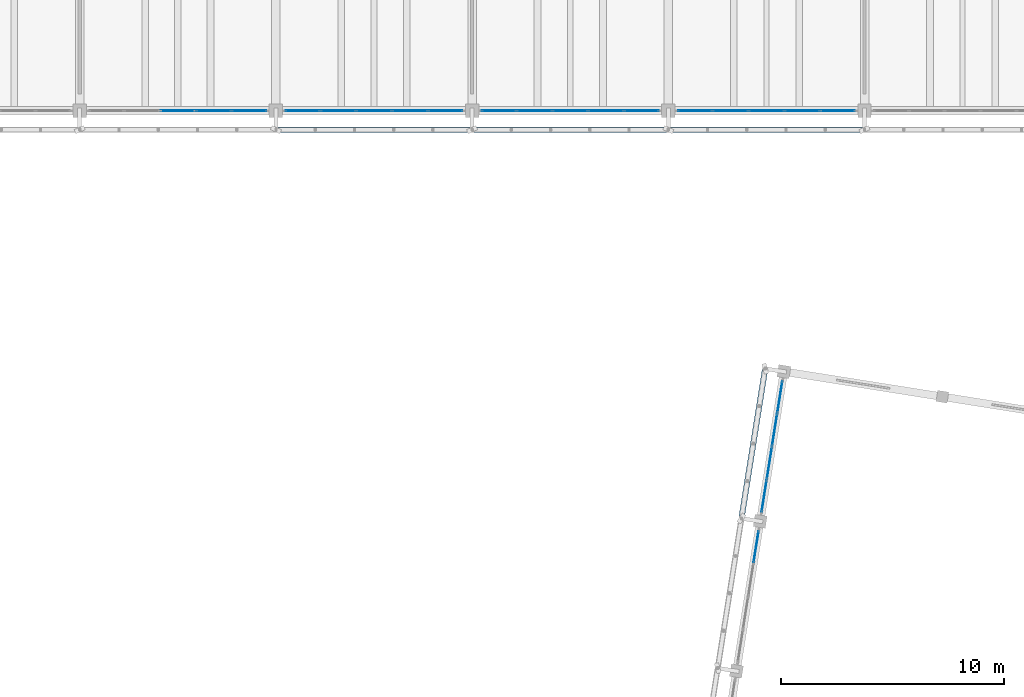
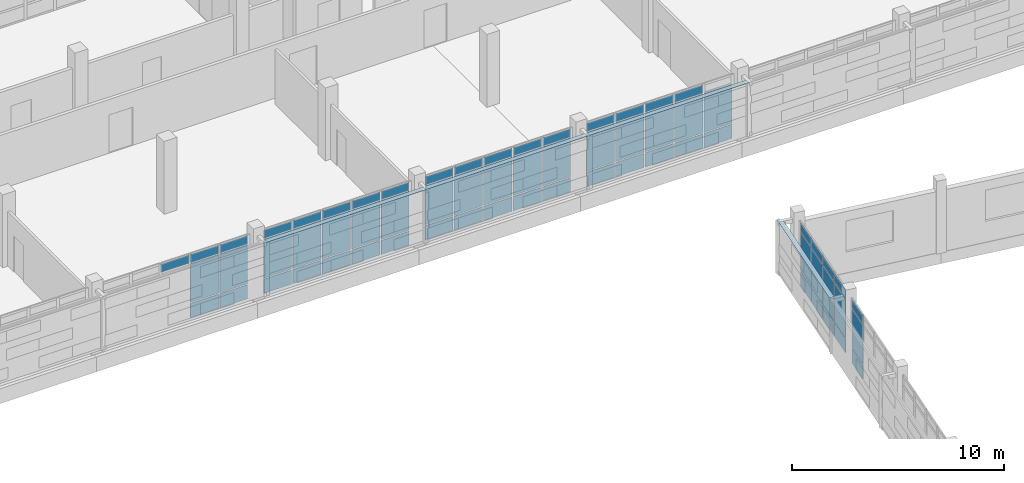
# One storey, part 101 of 137: 70 plates, 6 elements without a shape of their own.
"""IFC4 building model written with IfcOpenShell, lengths in metres."""

from ifc_helpers import new_model, si_unit, direction, frame, origin, origin_2d, place, context, subcontext, project, spatial, rectangle, extrude, material, layer, layer_set, type_object, element, aggregate, save


model = new_model("IFC4")

# Units and contexts
model_context = context("Model", 3, precision=1e-05, world=origin(), true_north=direction((0.0, 1.0)))
body_context = subcontext(model_context, "Body", "Model", "MODEL_VIEW")
ifc_project = project(units=[si_unit("LENGTHUNIT", "METRE"), si_unit("AREAUNIT", "SQUARE_METRE"), si_unit("VOLUMEUNIT", "CUBIC_METRE"), si_unit("PLANEANGLEUNIT", "RADIAN"), si_unit("MASSUNIT", "GRAM", prefix="KILO")], contexts=[model_context])

# Site, building, storey
site_placement = place(None, origin())
site = spatial("IfcSite", under=ifc_project, at=site_placement, CompositionType="ELEMENT")
building_placement = place(site_placement, origin())
building = spatial("IfcBuilding", under=site, at=building_placement, Name="Cinderway Yard Community Centre", CompositionType="ELEMENT")
storey_placement = place(building_placement, frame((0.0, 0.0, 4.800048828125)))
storey = spatial("IfcBuildingStorey", under=building, at=storey_placement, Name="L01", CompositionType="ELEMENT", Elevation=4.800048828125)

# Curtain wall, plates
ifc_material_1 = material(Name="Aluminium 6063-T6", Category="aluminium")
curtain_wall_type_1 = type_object("IfcCurtainWallType", Name="ENV-CW-TYPE-27", PredefinedType="USERDEFINED", material=ifc_material_1)
curtain_wall_1_placement = place(storey_placement, origin())
curtain_wall_1 = element("IfcCurtainWall", 1, at=curtain_wall_1_placement, inside=storey, type_object=curtain_wall_type_1, Name="V4 Courtyard Curtain Wall ENV-CW-L01-ST-0131", ObjectType="GLAZED CURTAIN WALL", PredefinedType="USERDEFINED")
ifc_material_2 = material(Name="Laminated Low-E Glass", Category="glass")
ifc_layer_1 = layer(ifc_material_2, 0.028076171875, Name="Laminated Low-E Glass")
ifc_layer_set_1 = layer_set([ifc_layer_1], Name="Laminated Low-E Glass")
plate_type_1 = type_object("IfcPlateType", Name="ENV-CW-PAN-IGU28", PredefinedType="CURTAIN_PANEL", material=ifc_layer_set_1)
plate_1_placement = place(storey_placement, frame((97.199951171875, 90.0, 3.22998046875), z_axis=(0.0, 0.0, 1.0), x_axis=(1.0, 0.0, 0.0)))
plate_1 = element("IfcPlate", 2, at=plate_1_placement, type_object=plate_type_1, Name="CW-27 panel 3.3", PredefinedType="CURTAIN_PANEL", context=body_context, shape_type="SweptSolid", body=[
    extrude(rectangle(XDim=1.548095703125, YDim=0.028076171875, at=origin_2d()), origin(), (0.0, 0.0, 1.0), 0.4599609375),
])
plate_2_placement = place(storey_placement, frame((98.80810546875, 90.0, 0.059814453125), z_axis=(0.0, 0.0, 1.0), x_axis=(1.0, 0.0, 0.0)))
plate_2 = element("IfcPlate", 3, at=plate_2_placement, type_object=plate_type_1, Name="CW-27 panel 4.1", PredefinedType="CURTAIN_PANEL", context=body_context, shape_type="SweptSolid", body=[
    extrude(rectangle(XDim=1.548095703125, YDim=0.028076171875, at=origin_2d()), origin(), (0.0, 0.0, 1.0), 0.81005859375),
])
plate_3_placement = place(storey_placement, frame((98.80810546875, 90.0, 0.93017578125), z_axis=(0.0, 0.0, 1.0), x_axis=(1.0, 0.0, 0.0)))
plate_3 = element("IfcPlate", 4, at=plate_3_placement, type_object=plate_type_1, Name="CW-27 panel 4.2", PredefinedType="CURTAIN_PANEL", context=body_context, shape_type="SweptSolid", body=[
    extrude(rectangle(XDim=1.548095703125, YDim=0.028076171875, at=origin_2d()), origin(), (0.0, 0.0, 1.0), 2.239990234375),
])
plate_4_placement = place(storey_placement, frame((98.80810546875, 90.0, 3.22998046875), z_axis=(0.0, 0.0, 1.0), x_axis=(1.0, 0.0, 0.0)))
plate_4 = element("IfcPlate", 5, at=plate_4_placement, type_object=plate_type_1, Name="CW-27 panel 4.3", PredefinedType="CURTAIN_PANEL", context=body_context, shape_type="SweptSolid", body=[
    extrude(rectangle(XDim=1.548095703125, YDim=0.028076171875, at=origin_2d()), origin(), (0.0, 0.0, 1.0), 0.4599609375),
])
plate_5_placement = place(storey_placement, frame((100.40087890625, 90.0, 0.059814453125), z_axis=(0.0, 0.0, 1.0), x_axis=(1.0, 0.0, 0.0)))
plate_5 = element("IfcPlate", 6, at=plate_5_placement, type_object=plate_type_1, Name="CW-27 panel 5.1", PredefinedType="CURTAIN_PANEL", context=body_context, shape_type="SweptSolid", body=[
    extrude(rectangle(XDim=1.51806640625, YDim=0.028076171875, at=origin_2d()), origin(), (0.0, 0.0, 1.0), 0.81005859375),
])
plate_6_placement = place(storey_placement, frame((100.40087890625, 90.0, 0.93017578125), z_axis=(0.0, 0.0, 1.0), x_axis=(1.0, 0.0, 0.0)))
plate_6 = element("IfcPlate", 7, at=plate_6_placement, type_object=plate_type_1, Name="CW-27 panel 5.2", PredefinedType="CURTAIN_PANEL", context=body_context, shape_type="SweptSolid", body=[
    extrude(rectangle(XDim=1.51806640625, YDim=0.028076171875, at=origin_2d()), origin(), (0.0, 0.0, 1.0), 2.239990234375),
])
plate_7_placement = place(storey_placement, frame((100.40087890625, 90.0, 3.22998046875), z_axis=(0.0, 0.0, 1.0), x_axis=(1.0, 0.0, 0.0)))
plate_7 = element("IfcPlate", 8, at=plate_7_placement, type_object=plate_type_1, Name="CW-27 panel 5.3", PredefinedType="CURTAIN_PANEL", context=body_context, shape_type="SweptSolid", body=[
    extrude(rectangle(XDim=1.51806640625, YDim=0.028076171875, at=origin_2d()), origin(), (0.0, 0.0, 1.0), 0.4599609375),
])
aggregate(curtain_wall_1, [plate_1, plate_2, plate_3, plate_4, plate_5, plate_6, plate_7])

curtain_wall_2_placement = place(storey_placement, origin())
curtain_wall_2 = element("IfcCurtainWall", 9, at=curtain_wall_2_placement, inside=storey, type_object=curtain_wall_type_1, Name="V4 Courtyard Curtain Wall ENV-CW-L01-ST-0133", ObjectType="GLAZED CURTAIN WALL", PredefinedType="USERDEFINED")
plate_8_placement = place(storey_placement, frame((102.799072265625, 90.0, 0.059814453125), z_axis=(0.0, 0.0, 1.0), x_axis=(1.0, 0.0, 0.0)))
plate_8 = element("IfcPlate", 10, at=plate_8_placement, type_object=plate_type_1, Name="CW-27 panel 1.1", PredefinedType="CURTAIN_PANEL", context=body_context, shape_type="SweptSolid", body=[
    extrude(rectangle(XDim=1.51806640625, YDim=0.028076171875, at=origin_2d()), origin(), (0.0, 0.0, 1.0), 0.81005859375),
])
plate_9_placement = place(storey_placement, frame((102.799072265625, 90.0, 0.93017578125), z_axis=(0.0, 0.0, 1.0), x_axis=(1.0, 0.0, 0.0)))
plate_9 = element("IfcPlate", 11, at=plate_9_placement, type_object=plate_type_1, Name="CW-27 panel 1.2", PredefinedType="CURTAIN_PANEL", context=body_context, shape_type="SweptSolid", body=[
    extrude(rectangle(XDim=1.51806640625, YDim=0.028076171875, at=origin_2d()), origin(), (0.0, 0.0, 1.0), 2.239990234375),
])
plate_10_placement = place(storey_placement, frame((102.799072265625, 90.0, 3.22998046875), z_axis=(0.0, 0.0, 1.0), x_axis=(1.0, 0.0, 0.0)))
plate_10 = element("IfcPlate", 12, at=plate_10_placement, type_object=plate_type_1, Name="CW-27 panel 1.3", PredefinedType="CURTAIN_PANEL", context=body_context, shape_type="SweptSolid", body=[
    extrude(rectangle(XDim=1.51806640625, YDim=0.028076171875, at=origin_2d()), origin(), (0.0, 0.0, 1.0), 0.4599609375),
])
plate_11_placement = place(storey_placement, frame((104.39208984375, 90.0, 0.059814453125), z_axis=(0.0, 0.0, 1.0), x_axis=(1.0, 0.0, 0.0)))
plate_11 = element("IfcPlate", 13, at=plate_11_placement, type_object=plate_type_1, Name="CW-27 panel 2.1", PredefinedType="CURTAIN_PANEL", context=body_context, shape_type="SweptSolid", body=[
    extrude(rectangle(XDim=1.548095703125, YDim=0.028076171875, at=origin_2d()), origin(), (0.0, 0.0, 1.0), 0.81005859375),
])
plate_12_placement = place(storey_placement, frame((104.39208984375, 90.0, 0.93017578125), z_axis=(0.0, 0.0, 1.0), x_axis=(1.0, 0.0, 0.0)))
plate_12 = element("IfcPlate", 14, at=plate_12_placement, type_object=plate_type_1, Name="CW-27 panel 2.2", PredefinedType="CURTAIN_PANEL", context=body_context, shape_type="SweptSolid", body=[
    extrude(rectangle(XDim=1.548095703125, YDim=0.028076171875, at=origin_2d()), origin(), (0.0, 0.0, 1.0), 2.239990234375),
])
plate_13_placement = place(storey_placement, frame((104.39208984375, 90.0, 3.22998046875), z_axis=(0.0, 0.0, 1.0), x_axis=(1.0, 0.0, 0.0)))
plate_13 = element("IfcPlate", 15, at=plate_13_placement, type_object=plate_type_1, Name="CW-27 panel 2.3", PredefinedType="CURTAIN_PANEL", context=body_context, shape_type="SweptSolid", body=[
    extrude(rectangle(XDim=1.548095703125, YDim=0.028076171875, at=origin_2d()), origin(), (0.0, 0.0, 1.0), 0.4599609375),
])
plate_14_placement = place(storey_placement, frame((106.0, 90.0, 0.059814453125), z_axis=(0.0, 0.0, 1.0), x_axis=(1.0, 0.0, 0.0)))
plate_14 = element("IfcPlate", 16, at=plate_14_placement, type_object=plate_type_1, Name="CW-27 panel 3.1", PredefinedType="CURTAIN_PANEL", context=body_context, shape_type="SweptSolid", body=[
    extrude(rectangle(XDim=1.548095703125, YDim=0.028076171875, at=origin_2d()), origin(), (0.0, 0.0, 1.0), 0.81005859375),
])
plate_15_placement = place(storey_placement, frame((106.0, 90.0, 0.93017578125), z_axis=(0.0, 0.0, 1.0), x_axis=(1.0, 0.0, 0.0)))
plate_15 = element("IfcPlate", 17, at=plate_15_placement, type_object=plate_type_1, Name="CW-27 panel 3.2", PredefinedType="CURTAIN_PANEL", context=body_context, shape_type="SweptSolid", body=[
    extrude(rectangle(XDim=1.548095703125, YDim=0.028076171875, at=origin_2d()), origin(), (0.0, 0.0, 1.0), 2.239990234375),
])
plate_16_placement = place(storey_placement, frame((106.0, 90.0, 3.22998046875), z_axis=(0.0, 0.0, 1.0), x_axis=(1.0, 0.0, 0.0)))
plate_16 = element("IfcPlate", 18, at=plate_16_placement, type_object=plate_type_1, Name="CW-27 panel 3.3", PredefinedType="CURTAIN_PANEL", context=body_context, shape_type="SweptSolid", body=[
    extrude(rectangle(XDim=1.548095703125, YDim=0.028076171875, at=origin_2d()), origin(), (0.0, 0.0, 1.0), 0.4599609375),
])
plate_17_placement = place(storey_placement, frame((107.60791015625, 90.0, 0.059814453125), z_axis=(0.0, 0.0, 1.0), x_axis=(1.0, 0.0, 0.0)))
plate_17 = element("IfcPlate", 19, at=plate_17_placement, type_object=plate_type_1, Name="CW-27 panel 4.1", PredefinedType="CURTAIN_PANEL", context=body_context, shape_type="SweptSolid", body=[
    extrude(rectangle(XDim=1.548095703125, YDim=0.028076171875, at=origin_2d()), origin(), (0.0, 0.0, 1.0), 0.81005859375),
])
plate_18_placement = place(storey_placement, frame((107.60791015625, 90.0, 0.93017578125), z_axis=(0.0, 0.0, 1.0), x_axis=(1.0, 0.0, 0.0)))
plate_18 = element("IfcPlate", 20, at=plate_18_placement, type_object=plate_type_1, Name="CW-27 panel 4.2", PredefinedType="CURTAIN_PANEL", context=body_context, shape_type="SweptSolid", body=[
    extrude(rectangle(XDim=1.548095703125, YDim=0.028076171875, at=origin_2d()), origin(), (0.0, 0.0, 1.0), 2.239990234375),
])
plate_19_placement = place(storey_placement, frame((107.60791015625, 90.0, 3.22998046875), z_axis=(0.0, 0.0, 1.0), x_axis=(1.0, 0.0, 0.0)))
plate_19 = element("IfcPlate", 21, at=plate_19_placement, type_object=plate_type_1, Name="CW-27 panel 4.3", PredefinedType="CURTAIN_PANEL", context=body_context, shape_type="SweptSolid", body=[
    extrude(rectangle(XDim=1.548095703125, YDim=0.028076171875, at=origin_2d()), origin(), (0.0, 0.0, 1.0), 0.4599609375),
])
plate_20_placement = place(storey_placement, frame((109.200927734375, 90.0, 0.059814453125), z_axis=(0.0, 0.0, 1.0), x_axis=(1.0, 0.0, 0.0)))
plate_20 = element("IfcPlate", 22, at=plate_20_placement, type_object=plate_type_1, Name="CW-27 panel 5.1", PredefinedType="CURTAIN_PANEL", context=body_context, shape_type="SweptSolid", body=[
    extrude(rectangle(XDim=1.51806640625, YDim=0.028076171875, at=origin_2d()), origin(), (0.0, 0.0, 1.0), 0.81005859375),
])
plate_21_placement = place(storey_placement, frame((109.200927734375, 90.0, 0.93017578125), z_axis=(0.0, 0.0, 1.0), x_axis=(1.0, 0.0, 0.0)))
plate_21 = element("IfcPlate", 23, at=plate_21_placement, type_object=plate_type_1, Name="CW-27 panel 5.2", PredefinedType="CURTAIN_PANEL", context=body_context, shape_type="SweptSolid", body=[
    extrude(rectangle(XDim=1.51806640625, YDim=0.028076171875, at=origin_2d()), origin(), (0.0, 0.0, 1.0), 2.239990234375),
])
plate_22_placement = place(storey_placement, frame((109.200927734375, 90.0, 3.22998046875), z_axis=(0.0, 0.0, 1.0), x_axis=(1.0, 0.0, 0.0)))
plate_22 = element("IfcPlate", 24, at=plate_22_placement, type_object=plate_type_1, Name="CW-27 panel 5.3", PredefinedType="CURTAIN_PANEL", context=body_context, shape_type="SweptSolid", body=[
    extrude(rectangle(XDim=1.51806640625, YDim=0.028076171875, at=origin_2d()), origin(), (0.0, 0.0, 1.0), 0.4599609375),
])
aggregate(curtain_wall_2, [plate_8, plate_9, plate_10, plate_11, plate_12, plate_13, plate_14, plate_15, plate_16, plate_17, plate_18, plate_19, plate_20, plate_21, plate_22])

curtain_wall_3_placement = place(storey_placement, origin())
curtain_wall_3 = element("IfcCurtainWall", 25, at=curtain_wall_3_placement, inside=storey, type_object=curtain_wall_type_1, Name="V4 Courtyard Curtain Wall ENV-CW-L01-ST-0134", ObjectType="GLAZED CURTAIN WALL", PredefinedType="USERDEFINED")
plate_23_placement = place(storey_placement, frame((111.59912109375, 90.0, 0.059814453125), z_axis=(0.0, 0.0, 1.0), x_axis=(1.0, 0.0, 0.0)))
plate_23 = element("IfcPlate", 26, at=plate_23_placement, type_object=plate_type_1, Name="CW-27 panel 1.1", PredefinedType="CURTAIN_PANEL", context=body_context, shape_type="SweptSolid", body=[
    extrude(rectangle(XDim=1.51806640625, YDim=0.028076171875, at=origin_2d()), origin(), (0.0, 0.0, 1.0), 0.81005859375),
])
plate_24_placement = place(storey_placement, frame((111.59912109375, 90.0, 0.93017578125), z_axis=(0.0, 0.0, 1.0), x_axis=(1.0, 0.0, 0.0)))
plate_24 = element("IfcPlate", 27, at=plate_24_placement, type_object=plate_type_1, Name="CW-27 panel 1.2", PredefinedType="CURTAIN_PANEL", context=body_context, shape_type="SweptSolid", body=[
    extrude(rectangle(XDim=1.51806640625, YDim=0.028076171875, at=origin_2d()), origin(), (0.0, 0.0, 1.0), 2.239990234375),
])
plate_25_placement = place(storey_placement, frame((111.59912109375, 90.0, 3.22998046875), z_axis=(0.0, 0.0, 1.0), x_axis=(1.0, 0.0, 0.0)))
plate_25 = element("IfcPlate", 28, at=plate_25_placement, type_object=plate_type_1, Name="CW-27 panel 1.3", PredefinedType="CURTAIN_PANEL", context=body_context, shape_type="SweptSolid", body=[
    extrude(rectangle(XDim=1.51806640625, YDim=0.028076171875, at=origin_2d()), origin(), (0.0, 0.0, 1.0), 0.4599609375),
])
plate_26_placement = place(storey_placement, frame((113.19189453125, 90.0, 0.059814453125), z_axis=(0.0, 0.0, 1.0), x_axis=(1.0, 0.0, 0.0)))
plate_26 = element("IfcPlate", 29, at=plate_26_placement, type_object=plate_type_1, Name="CW-27 panel 2.1", PredefinedType="CURTAIN_PANEL", context=body_context, shape_type="SweptSolid", body=[
    extrude(rectangle(XDim=1.548095703125, YDim=0.028076171875, at=origin_2d()), origin(), (0.0, 0.0, 1.0), 0.81005859375),
])
plate_27_placement = place(storey_placement, frame((113.19189453125, 90.0, 0.93017578125), z_axis=(0.0, 0.0, 1.0), x_axis=(1.0, 0.0, 0.0)))
plate_27 = element("IfcPlate", 30, at=plate_27_placement, type_object=plate_type_1, Name="CW-27 panel 2.2", PredefinedType="CURTAIN_PANEL", context=body_context, shape_type="SweptSolid", body=[
    extrude(rectangle(XDim=1.548095703125, YDim=0.028076171875, at=origin_2d()), origin(), (0.0, 0.0, 1.0), 2.239990234375),
])
plate_28_placement = place(storey_placement, frame((113.19189453125, 90.0, 3.22998046875), z_axis=(0.0, 0.0, 1.0), x_axis=(1.0, 0.0, 0.0)))
plate_28 = element("IfcPlate", 31, at=plate_28_placement, type_object=plate_type_1, Name="CW-27 panel 2.3", PredefinedType="CURTAIN_PANEL", context=body_context, shape_type="SweptSolid", body=[
    extrude(rectangle(XDim=1.548095703125, YDim=0.028076171875, at=origin_2d()), origin(), (0.0, 0.0, 1.0), 0.4599609375),
])
plate_29_placement = place(storey_placement, frame((114.800048828125, 90.0, 0.059814453125), z_axis=(0.0, 0.0, 1.0), x_axis=(1.0, 0.0, 0.0)))
plate_29 = element("IfcPlate", 32, at=plate_29_placement, type_object=plate_type_1, Name="CW-27 panel 3.1", PredefinedType="CURTAIN_PANEL", context=body_context, shape_type="SweptSolid", body=[
    extrude(rectangle(XDim=1.548095703125, YDim=0.028076171875, at=origin_2d()), origin(), (0.0, 0.0, 1.0), 0.81005859375),
])
plate_30_placement = place(storey_placement, frame((114.800048828125, 90.0, 0.93017578125), z_axis=(0.0, 0.0, 1.0), x_axis=(1.0, 0.0, 0.0)))
plate_30 = element("IfcPlate", 33, at=plate_30_placement, type_object=plate_type_1, Name="CW-27 panel 3.2", PredefinedType="CURTAIN_PANEL", context=body_context, shape_type="SweptSolid", body=[
    extrude(rectangle(XDim=1.548095703125, YDim=0.028076171875, at=origin_2d()), origin(), (0.0, 0.0, 1.0), 2.239990234375),
])
plate_31_placement = place(storey_placement, frame((114.800048828125, 90.0, 3.22998046875), z_axis=(0.0, 0.0, 1.0), x_axis=(1.0, 0.0, 0.0)))
plate_31 = element("IfcPlate", 34, at=plate_31_placement, type_object=plate_type_1, Name="CW-27 panel 3.3", PredefinedType="CURTAIN_PANEL", context=body_context, shape_type="SweptSolid", body=[
    extrude(rectangle(XDim=1.548095703125, YDim=0.028076171875, at=origin_2d()), origin(), (0.0, 0.0, 1.0), 0.4599609375),
])
plate_32_placement = place(storey_placement, frame((116.407958984375, 90.0, 0.059814453125), z_axis=(0.0, 0.0, 1.0), x_axis=(1.0, 0.0, 0.0)))
plate_32 = element("IfcPlate", 35, at=plate_32_placement, type_object=plate_type_1, Name="CW-27 panel 4.1", PredefinedType="CURTAIN_PANEL", context=body_context, shape_type="SweptSolid", body=[
    extrude(rectangle(XDim=1.548095703125, YDim=0.028076171875, at=origin_2d()), origin(), (0.0, 0.0, 1.0), 0.81005859375),
])
plate_33_placement = place(storey_placement, frame((116.407958984375, 90.0, 0.93017578125), z_axis=(0.0, 0.0, 1.0), x_axis=(1.0, 0.0, 0.0)))
plate_33 = element("IfcPlate", 36, at=plate_33_placement, type_object=plate_type_1, Name="CW-27 panel 4.2", PredefinedType="CURTAIN_PANEL", context=body_context, shape_type="SweptSolid", body=[
    extrude(rectangle(XDim=1.548095703125, YDim=0.028076171875, at=origin_2d()), origin(), (0.0, 0.0, 1.0), 2.239990234375),
])
plate_34_placement = place(storey_placement, frame((116.407958984375, 90.0, 3.22998046875), z_axis=(0.0, 0.0, 1.0), x_axis=(1.0, 0.0, 0.0)))
plate_34 = element("IfcPlate", 37, at=plate_34_placement, type_object=plate_type_1, Name="CW-27 panel 4.3", PredefinedType="CURTAIN_PANEL", context=body_context, shape_type="SweptSolid", body=[
    extrude(rectangle(XDim=1.548095703125, YDim=0.028076171875, at=origin_2d()), origin(), (0.0, 0.0, 1.0), 0.4599609375),
])
plate_35_placement = place(storey_placement, frame((118.0009765625, 90.0, 0.059814453125), z_axis=(0.0, 0.0, 1.0), x_axis=(1.0, 0.0, 0.0)))
plate_35 = element("IfcPlate", 38, at=plate_35_placement, type_object=plate_type_1, Name="CW-27 panel 5.1", PredefinedType="CURTAIN_PANEL", context=body_context, shape_type="SweptSolid", body=[
    extrude(rectangle(XDim=1.51806640625, YDim=0.028076171875, at=origin_2d()), origin(), (0.0, 0.0, 1.0), 0.81005859375),
])
plate_36_placement = place(storey_placement, frame((118.0009765625, 90.0, 0.93017578125), z_axis=(0.0, 0.0, 1.0), x_axis=(1.0, 0.0, 0.0)))
plate_36 = element("IfcPlate", 39, at=plate_36_placement, type_object=plate_type_1, Name="CW-27 panel 5.2", PredefinedType="CURTAIN_PANEL", context=body_context, shape_type="SweptSolid", body=[
    extrude(rectangle(XDim=1.51806640625, YDim=0.028076171875, at=origin_2d()), origin(), (0.0, 0.0, 1.0), 2.239990234375),
])
plate_37_placement = place(storey_placement, frame((118.0009765625, 90.0, 3.22998046875), z_axis=(0.0, 0.0, 1.0), x_axis=(1.0, 0.0, 0.0)))
plate_37 = element("IfcPlate", 40, at=plate_37_placement, type_object=plate_type_1, Name="CW-27 panel 5.3", PredefinedType="CURTAIN_PANEL", context=body_context, shape_type="SweptSolid", body=[
    extrude(rectangle(XDim=1.51806640625, YDim=0.028076171875, at=origin_2d()), origin(), (0.0, 0.0, 1.0), 0.4599609375),
])
aggregate(curtain_wall_3, [plate_23, plate_24, plate_25, plate_26, plate_27, plate_28, plate_29, plate_30, plate_31, plate_32, plate_33, plate_34, plate_35, plate_36, plate_37])

curtain_wall_4_placement = place(storey_placement, origin())
curtain_wall_4 = element("IfcCurtainWall", 41, at=curtain_wall_4_placement, inside=storey, type_object=curtain_wall_type_1, Name="V4 Courtyard Curtain Wall ENV-CW-L01-ST-0136", ObjectType="GLAZED CURTAIN WALL", PredefinedType="USERDEFINED")
plate_38_placement = place(storey_placement, frame((120.39892578125, 90.0, 0.059814453125), z_axis=(0.0, 0.0, 1.0), x_axis=(1.0, 0.0, 0.0)))
plate_38 = element("IfcPlate", 42, at=plate_38_placement, type_object=plate_type_1, Name="CW-27 panel 1.1", PredefinedType="CURTAIN_PANEL", context=body_context, shape_type="SweptSolid", body=[
    extrude(rectangle(XDim=1.51806640625, YDim=0.028076171875, at=origin_2d()), origin(), (0.0, 0.0, 1.0), 0.81005859375),
])
plate_39_placement = place(storey_placement, frame((120.39892578125, 90.0, 0.93017578125), z_axis=(0.0, 0.0, 1.0), x_axis=(1.0, 0.0, 0.0)))
plate_39 = element("IfcPlate", 43, at=plate_39_placement, type_object=plate_type_1, Name="CW-27 panel 1.2", PredefinedType="CURTAIN_PANEL", context=body_context, shape_type="SweptSolid", body=[
    extrude(rectangle(XDim=1.51806640625, YDim=0.028076171875, at=origin_2d()), origin(), (0.0, 0.0, 1.0), 2.239990234375),
])
plate_40_placement = place(storey_placement, frame((120.39892578125, 90.0, 3.22998046875), z_axis=(0.0, 0.0, 1.0), x_axis=(1.0, 0.0, 0.0)))
plate_40 = element("IfcPlate", 44, at=plate_40_placement, type_object=plate_type_1, Name="CW-27 panel 1.3", PredefinedType="CURTAIN_PANEL", context=body_context, shape_type="SweptSolid", body=[
    extrude(rectangle(XDim=1.51806640625, YDim=0.028076171875, at=origin_2d()), origin(), (0.0, 0.0, 1.0), 0.4599609375),
])
plate_41_placement = place(storey_placement, frame((121.991943359375, 90.0, 0.059814453125), z_axis=(0.0, 0.0, 1.0), x_axis=(1.0, 0.0, 0.0)))
plate_41 = element("IfcPlate", 45, at=plate_41_placement, type_object=plate_type_1, Name="CW-27 panel 2.1", PredefinedType="CURTAIN_PANEL", context=body_context, shape_type="SweptSolid", body=[
    extrude(rectangle(XDim=1.548095703125, YDim=0.028076171875, at=origin_2d()), origin(), (0.0, 0.0, 1.0), 0.81005859375),
])
plate_42_placement = place(storey_placement, frame((121.991943359375, 90.0, 0.93017578125), z_axis=(0.0, 0.0, 1.0), x_axis=(1.0, 0.0, 0.0)))
plate_42 = element("IfcPlate", 46, at=plate_42_placement, type_object=plate_type_1, Name="CW-27 panel 2.2", PredefinedType="CURTAIN_PANEL", context=body_context, shape_type="SweptSolid", body=[
    extrude(rectangle(XDim=1.548095703125, YDim=0.028076171875, at=origin_2d()), origin(), (0.0, 0.0, 1.0), 2.239990234375),
])
plate_43_placement = place(storey_placement, frame((121.991943359375, 90.0, 3.22998046875), z_axis=(0.0, 0.0, 1.0), x_axis=(1.0, 0.0, 0.0)))
plate_43 = element("IfcPlate", 47, at=plate_43_placement, type_object=plate_type_1, Name="CW-27 panel 2.3", PredefinedType="CURTAIN_PANEL", context=body_context, shape_type="SweptSolid", body=[
    extrude(rectangle(XDim=1.548095703125, YDim=0.028076171875, at=origin_2d()), origin(), (0.0, 0.0, 1.0), 0.4599609375),
])
plate_44_placement = place(storey_placement, frame((123.60009765625, 90.0, 0.059814453125), z_axis=(0.0, 0.0, 1.0), x_axis=(1.0, 0.0, 0.0)))
plate_44 = element("IfcPlate", 48, at=plate_44_placement, type_object=plate_type_1, Name="CW-27 panel 3.1", PredefinedType="CURTAIN_PANEL", context=body_context, shape_type="SweptSolid", body=[
    extrude(rectangle(XDim=1.548095703125, YDim=0.028076171875, at=origin_2d()), origin(), (0.0, 0.0, 1.0), 0.81005859375),
])
plate_45_placement = place(storey_placement, frame((123.60009765625, 90.0, 0.93017578125), z_axis=(0.0, 0.0, 1.0), x_axis=(1.0, 0.0, 0.0)))
plate_45 = element("IfcPlate", 49, at=plate_45_placement, type_object=plate_type_1, Name="CW-27 panel 3.2", PredefinedType="CURTAIN_PANEL", context=body_context, shape_type="SweptSolid", body=[
    extrude(rectangle(XDim=1.548095703125, YDim=0.028076171875, at=origin_2d()), origin(), (0.0, 0.0, 1.0), 2.239990234375),
])
plate_46_placement = place(storey_placement, frame((123.60009765625, 90.0, 3.22998046875), z_axis=(0.0, 0.0, 1.0), x_axis=(1.0, 0.0, 0.0)))
plate_46 = element("IfcPlate", 50, at=plate_46_placement, type_object=plate_type_1, Name="CW-27 panel 3.3", PredefinedType="CURTAIN_PANEL", context=body_context, shape_type="SweptSolid", body=[
    extrude(rectangle(XDim=1.548095703125, YDim=0.028076171875, at=origin_2d()), origin(), (0.0, 0.0, 1.0), 0.4599609375),
])
plate_47_placement = place(storey_placement, frame((125.2080078125, 90.0, 0.059814453125), z_axis=(0.0, 0.0, 1.0), x_axis=(1.0, 0.0, 0.0)))
plate_47 = element("IfcPlate", 51, at=plate_47_placement, type_object=plate_type_1, Name="CW-27 panel 4.1", PredefinedType="CURTAIN_PANEL", context=body_context, shape_type="SweptSolid", body=[
    extrude(rectangle(XDim=1.548095703125, YDim=0.028076171875, at=origin_2d()), origin(), (0.0, 0.0, 1.0), 0.81005859375),
])
plate_48_placement = place(storey_placement, frame((125.2080078125, 90.0, 0.93017578125), z_axis=(0.0, 0.0, 1.0), x_axis=(1.0, 0.0, 0.0)))
plate_48 = element("IfcPlate", 52, at=plate_48_placement, type_object=plate_type_1, Name="CW-27 panel 4.2", PredefinedType="CURTAIN_PANEL", context=body_context, shape_type="SweptSolid", body=[
    extrude(rectangle(XDim=1.548095703125, YDim=0.028076171875, at=origin_2d()), origin(), (0.0, 0.0, 1.0), 2.239990234375),
])
plate_49_placement = place(storey_placement, frame((125.2080078125, 90.0, 3.22998046875), z_axis=(0.0, 0.0, 1.0), x_axis=(1.0, 0.0, 0.0)))
plate_49 = element("IfcPlate", 53, at=plate_49_placement, type_object=plate_type_1, Name="CW-27 panel 4.3", PredefinedType="CURTAIN_PANEL", context=body_context, shape_type="SweptSolid", body=[
    extrude(rectangle(XDim=1.548095703125, YDim=0.028076171875, at=origin_2d()), origin(), (0.0, 0.0, 1.0), 0.4599609375),
])
plate_50_placement = place(storey_placement, frame((126.801025390625, 90.0, 0.059814453125), z_axis=(0.0, 0.0, 1.0), x_axis=(1.0, 0.0, 0.0)))
plate_50 = element("IfcPlate", 54, at=plate_50_placement, type_object=plate_type_1, Name="CW-27 panel 5.1", PredefinedType="CURTAIN_PANEL", context=body_context, shape_type="SweptSolid", body=[
    extrude(rectangle(XDim=1.51806640625, YDim=0.028076171875, at=origin_2d()), origin(), (0.0, 0.0, 1.0), 0.81005859375),
])
plate_51_placement = place(storey_placement, frame((126.801025390625, 90.0, 0.93017578125), z_axis=(0.0, 0.0, 1.0), x_axis=(1.0, 0.0, 0.0)))
plate_51 = element("IfcPlate", 55, at=plate_51_placement, type_object=plate_type_1, Name="CW-27 panel 5.2", PredefinedType="CURTAIN_PANEL", context=body_context, shape_type="SweptSolid", body=[
    extrude(rectangle(XDim=1.51806640625, YDim=0.028076171875, at=origin_2d()), origin(), (0.0, 0.0, 1.0), 2.239990234375),
])
aggregate(curtain_wall_4, [plate_38, plate_39, plate_40, plate_41, plate_42, plate_43, plate_44, plate_45, plate_46, plate_47, plate_48, plate_49, plate_50, plate_51])

curtain_wall_type_2 = type_object("IfcCurtainWallType", Name="ENV-CW-TYPE-14", PredefinedType="USERDEFINED", material=ifc_material_1)
curtain_wall_5_placement = place(storey_placement, origin())
curtain_wall_5 = element("IfcCurtainWall", 56, at=curtain_wall_5_placement, inside=storey, type_object=curtain_wall_type_2, Name="Sports Hall Courtyard Curtain Wall ENV-CW-L01-HS-0055", ObjectType="GLAZED CURTAIN WALL", PredefinedType="USERDEFINED")
ifc_layer_2 = layer(ifc_material_2, 0.031982421875, Name="Laminated Low-E Glass")
ifc_layer_set_2 = layer_set([ifc_layer_2], Name="Laminated Low-E Glass")
plate_type_2 = type_object("IfcPlateType", Name="ENV-CW-PAN-IGU32", PredefinedType="CURTAIN_PANEL", material=ifc_layer_set_2)
plate_52_placement = place(storey_placement, frame((123.139404296875, 70.445556640625, 0.059814453125), z_axis=(0.0, 0.0, 1.0), x_axis=(0.156608625643, 0.987660740525, 0.0)))
plate_52 = element("IfcPlate", 57, at=plate_52_placement, type_object=plate_type_2, Name="CW-14 panel 4.1", PredefinedType="CURTAIN_PANEL", context=body_context, shape_type="SweptSolid", body=[
    extrude(rectangle(XDim=1.420166015625, YDim=0.028076171875, at=origin_2d()), origin(), (0.0, 0.0, 1.0), 0.81005859375),
])
plate_53_placement = place(storey_placement, frame((123.139404296875, 70.445556640625, 0.93017578125), z_axis=(0.0, 0.0, 1.0), x_axis=(0.156608625643, 0.987660740525, 0.0)))
plate_53 = element("IfcPlate", 58, at=plate_53_placement, type_object=plate_type_2, Name="CW-14 panel 4.2", PredefinedType="CURTAIN_PANEL", context=body_context, shape_type="SweptSolid", body=[
    extrude(rectangle(XDim=1.420166015625, YDim=0.028076171875, at=origin_2d()), origin(), (0.0, 0.0, 1.0), 2.239990234375),
])
plate_54_placement = place(storey_placement, frame((123.139404296875, 70.445556640625, 3.22998046875), z_axis=(0.0, 0.0, 1.0), x_axis=(0.156608625643, 0.987660740525, 0.0)))
plate_54 = element("IfcPlate", 59, at=plate_54_placement, type_object=plate_type_2, Name="CW-14 panel 4.3", PredefinedType="CURTAIN_PANEL", context=body_context, shape_type="SweptSolid", body=[
    extrude(rectangle(XDim=1.420166015625, YDim=0.028076171875, at=origin_2d()), origin(), (0.0, 0.0, 1.0), 0.4599609375),
])
aggregate(curtain_wall_5, [plate_52, plate_53, plate_54])

curtain_wall_6_placement = place(storey_placement, origin())
curtain_wall_6 = element("IfcCurtainWall", 60, at=curtain_wall_6_placement, inside=storey, type_object=curtain_wall_type_2, Name="Sports Hall Courtyard Curtain Wall ENV-CW-L01-HS-0056", ObjectType="GLAZED CURTAIN WALL", PredefinedType="USERDEFINED")
plate_55_placement = place(storey_placement, frame((123.49853515625, 72.716796875, 0.059814453125), z_axis=(0.0, 0.0, 1.0), x_axis=(0.156583023401, 0.987664799809, 0.0)))
plate_55 = element("IfcPlate", 61, at=plate_55_placement, type_object=plate_type_2, Name="CW-14 panel 1.1", PredefinedType="CURTAIN_PANEL", context=body_context, shape_type="SweptSolid", body=[
    extrude(rectangle(XDim=1.42041015625, YDim=0.028076171875, at=origin_2d()), origin(), (0.0, 0.0, 1.0), 0.81005859375),
])
plate_56_placement = place(storey_placement, frame((123.49853515625, 72.716796875, 0.93017578125), z_axis=(0.0, 0.0, 1.0), x_axis=(0.156583023401, 0.987664799809, 0.0)))
plate_56 = element("IfcPlate", 62, at=plate_56_placement, type_object=plate_type_2, Name="CW-14 panel 1.2", PredefinedType="CURTAIN_PANEL", context=body_context, shape_type="SweptSolid", body=[
    extrude(rectangle(XDim=1.42041015625, YDim=0.028076171875, at=origin_2d()), origin(), (0.0, 0.0, 1.0), 2.239990234375),
])
plate_57_placement = place(storey_placement, frame((123.49853515625, 72.716796875, 3.22998046875), z_axis=(0.0, 0.0, 1.0), x_axis=(0.156583023401, 0.987664799809, 0.0)))
plate_57 = element("IfcPlate", 63, at=plate_57_placement, type_object=plate_type_2, Name="CW-14 panel 1.3", PredefinedType="CURTAIN_PANEL", context=body_context, shape_type="SweptSolid", body=[
    extrude(rectangle(XDim=1.42041015625, YDim=0.028076171875, at=origin_2d()), origin(), (0.0, 0.0, 1.0), 0.4599609375),
])
plate_58_placement = place(storey_placement, frame((123.732666015625, 74.193603515625, 0.059814453125), z_axis=(0.0, 0.0, 1.0), x_axis=(0.156583023401, 0.987664799809, 0.0)))
plate_58 = element("IfcPlate", 64, at=plate_58_placement, type_object=plate_type_2, Name="CW-14 panel 2.1", PredefinedType="CURTAIN_PANEL", context=body_context, shape_type="SweptSolid", body=[
    extrude(rectangle(XDim=1.450439453125, YDim=0.028076171875, at=origin_2d()), origin(), (0.0, 0.0, 1.0), 0.81005859375),
])
plate_59_placement = place(storey_placement, frame((123.732666015625, 74.193603515625, 0.93017578125), z_axis=(0.0, 0.0, 1.0), x_axis=(0.156583023401, 0.987664799809, 0.0)))
plate_59 = element("IfcPlate", 65, at=plate_59_placement, type_object=plate_type_2, Name="CW-14 panel 2.2", PredefinedType="CURTAIN_PANEL", context=body_context, shape_type="SweptSolid", body=[
    extrude(rectangle(XDim=1.450439453125, YDim=0.028076171875, at=origin_2d()), origin(), (0.0, 0.0, 1.0), 2.239990234375),
])
plate_60_placement = place(storey_placement, frame((123.732666015625, 74.193603515625, 3.22998046875), z_axis=(0.0, 0.0, 1.0), x_axis=(0.156583023401, 0.987664799809, 0.0)))
plate_60 = element("IfcPlate", 66, at=plate_60_placement, type_object=plate_type_2, Name="CW-14 panel 2.3", PredefinedType="CURTAIN_PANEL", context=body_context, shape_type="SweptSolid", body=[
    extrude(rectangle(XDim=1.450439453125, YDim=0.028076171875, at=origin_2d()), origin(), (0.0, 0.0, 1.0), 0.4599609375),
])
plate_61_placement = place(storey_placement, frame((123.96923828125, 75.685302734375, 0.059814453125), z_axis=(0.0, 0.0, 1.0), x_axis=(0.156583023401, 0.987664799809, 0.0)))
plate_61 = element("IfcPlate", 67, at=plate_61_placement, type_object=plate_type_2, Name="CW-14 panel 3.1", PredefinedType="CURTAIN_PANEL", context=body_context, shape_type="SweptSolid", body=[
    extrude(rectangle(XDim=1.450439453125, YDim=0.028076171875, at=origin_2d()), origin(), (0.0, 0.0, 1.0), 0.81005859375),
])
plate_62_placement = place(storey_placement, frame((123.96923828125, 75.685302734375, 0.93017578125), z_axis=(0.0, 0.0, 1.0), x_axis=(0.156583023401, 0.987664799809, 0.0)))
plate_62 = element("IfcPlate", 68, at=plate_62_placement, type_object=plate_type_2, Name="CW-14 panel 3.2", PredefinedType="CURTAIN_PANEL", context=body_context, shape_type="SweptSolid", body=[
    extrude(rectangle(XDim=1.450439453125, YDim=0.028076171875, at=origin_2d()), origin(), (0.0, 0.0, 1.0), 2.239990234375),
])
plate_63_placement = place(storey_placement, frame((123.96923828125, 75.685302734375, 3.22998046875), z_axis=(0.0, 0.0, 1.0), x_axis=(0.156583023401, 0.987664799809, 0.0)))
plate_63 = element("IfcPlate", 69, at=plate_63_placement, type_object=plate_type_2, Name="CW-14 panel 3.3", PredefinedType="CURTAIN_PANEL", context=body_context, shape_type="SweptSolid", body=[
    extrude(rectangle(XDim=1.450439453125, YDim=0.028076171875, at=origin_2d()), origin(), (0.0, 0.0, 1.0), 0.4599609375),
])
plate_64_placement = place(storey_placement, frame((124.203369140625, 77.162353515625, 0.059814453125), z_axis=(0.0, 0.0, 1.0), x_axis=(0.156583023401, 0.987664799809, 0.0)))
plate_64 = element("IfcPlate", 70, at=plate_64_placement, type_object=plate_type_2, Name="CW-14 panel 4.1", PredefinedType="CURTAIN_PANEL", context=body_context, shape_type="SweptSolid", body=[
    extrude(rectangle(XDim=1.42041015625, YDim=0.028076171875, at=origin_2d()), origin(), (0.0, 0.0, 1.0), 0.81005859375),
])
plate_65_placement = place(storey_placement, frame((124.203369140625, 77.162353515625, 0.93017578125), z_axis=(0.0, 0.0, 1.0), x_axis=(0.156583023401, 0.987664799809, 0.0)))
plate_65 = element("IfcPlate", 71, at=plate_65_placement, type_object=plate_type_2, Name="CW-14 panel 4.2", PredefinedType="CURTAIN_PANEL", context=body_context, shape_type="SweptSolid", body=[
    extrude(rectangle(XDim=1.42041015625, YDim=0.028076171875, at=origin_2d()), origin(), (0.0, 0.0, 1.0), 2.239990234375),
])
plate_66_placement = place(storey_placement, frame((124.203369140625, 77.162353515625, 3.22998046875), z_axis=(0.0, 0.0, 1.0), x_axis=(0.156583023401, 0.987664799809, 0.0)))
plate_66 = element("IfcPlate", 72, at=plate_66_placement, type_object=plate_type_2, Name="CW-14 panel 4.3", PredefinedType="CURTAIN_PANEL", context=body_context, shape_type="SweptSolid", body=[
    extrude(rectangle(XDim=1.42041015625, YDim=0.028076171875, at=origin_2d()), origin(), (0.0, 0.0, 1.0), 0.4599609375),
])
aggregate(curtain_wall_6, [plate_55, plate_56, plate_57, plate_58, plate_59, plate_60, plate_61, plate_62, plate_63, plate_64, plate_65, plate_66])

# Plates
ifc_layer_3 = layer(ifc_material_1, 0.01611328125, Name="Aluminium 6063-T6")
ifc_layer_set_3 = layer_set([ifc_layer_3], Name="Aluminium 6063-T6")
plate_type_3 = type_object("IfcPlateType", Name="ENV-PLT-FASCIA16", PredefinedType="USERDEFINED", material=ifc_layer_set_3)
for number, where, z_axis, x_axis, name in (
    (73, (106.0, 89.14990234375, 3.7119140625), (0.0, 0.0, 1.0), (-1.0, 0.0, 0.0), "Screen coping fascia 0047"),
    (74, (114.800048828125, 89.14990234375, 3.7119140625), (0.0, 0.0, 1.0), (-1.0, 0.0, 0.0), "Screen coping fascia 0048"),
    (75, (123.60009765625, 89.14990234375, 3.7119140625), (0.0, 0.0, 1.0), (-1.0, 0.0, 0.0), "Screen coping fascia 0049"),
):
    element("IfcPlate", number, at=place(storey_placement, frame(where, z_axis=z_axis, x_axis=x_axis)), inside=storey, type_object=plate_type_3, Name=name, ObjectType="FASCIA PLATE", PredefinedType="USERDEFINED", context=body_context, shape_type="SweptSolid", body=[
        extrude(rectangle(XDim=8.699951171875, YDim=0.260009765625, at=origin_2d()), origin(), (0.0, 0.0, 1.0), 0.01611328125),
    ])
plate_67_placement = place(storey_placement, frame((123.010986328125, 75.072021484375, 3.7119140625), z_axis=(0.0, 0.0, 1.0), x_axis=(0.15643446504, 0.987688340595, 0.0)))
element("IfcPlate", 76, at=plate_67_placement, inside=storey, type_object=plate_type_3, Name="Screen coping fascia 0133", ObjectType="FASCIA PLATE", PredefinedType="USERDEFINED", context=body_context, shape_type="SweptSolid", body=[
    extrude(rectangle(XDim=6.700927734375, YDim=0.260009765625, at=origin_2d()), origin(), (0.0, 0.0, 1.0), 0.01611328125),
])

save(model, "model.ifc")
